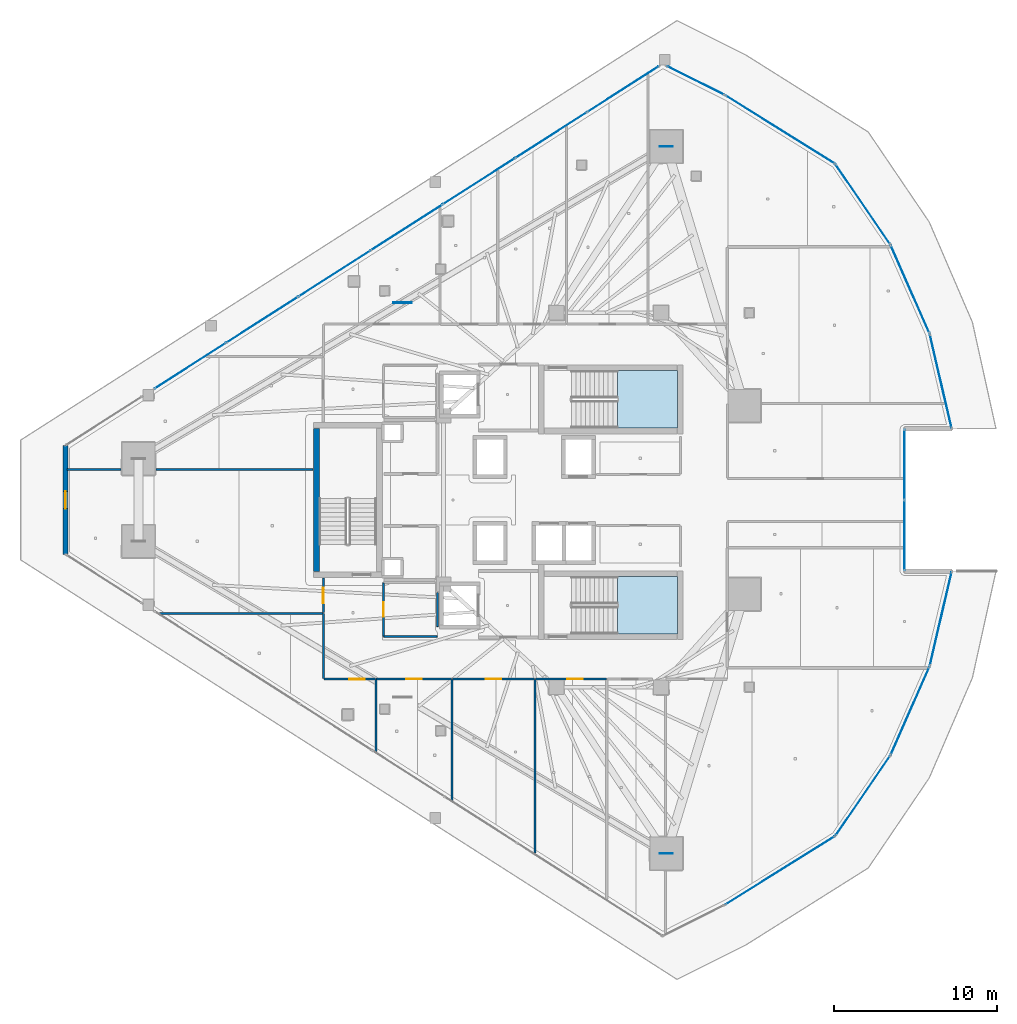
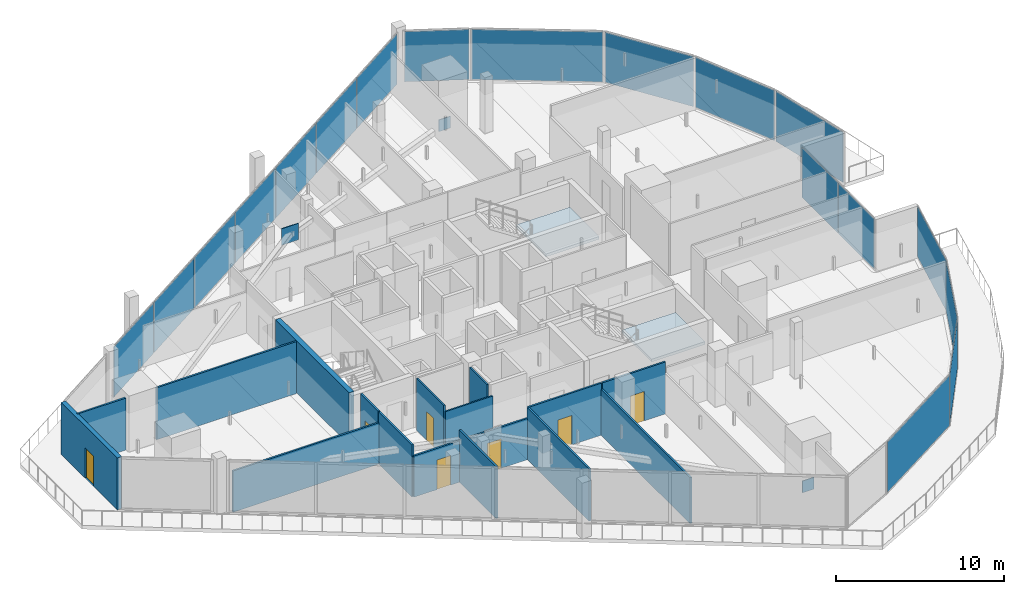
# One storey, part 30 of 43: 21 plates, 17 walls, 7 doors, 2 slabs, 7 openings, 13 elements without a shape of their own.
"""IFC4 building model written with IfcOpenShell, lengths in metres."""

from ifc_helpers import new_model, si_unit, direction, frame, frame_2d, origin, origin_2d, place, context, subcontext, project, spatial, polyline, rectangle, outline, extrude, material, layer, layer_set, type_object, element, fill, aggregate, save


model = new_model("IFC4")

# Units and contexts
model_context = context("Model", 3, precision=1e-05, world=origin(), true_north=direction((0.0, 1.0)))
body_context = subcontext(model_context, "Body", "Model", "MODEL_VIEW")
ifc_project = project(units=[si_unit("LENGTHUNIT", "METRE"), si_unit("AREAUNIT", "SQUARE_METRE"), si_unit("VOLUMEUNIT", "CUBIC_METRE"), si_unit("PLANEANGLEUNIT", "RADIAN"), si_unit("MASSUNIT", "GRAM", prefix="KILO")], contexts=[model_context])

# Site, building, storey
site_placement = place(None, origin())
site = spatial("IfcSite", under=ifc_project, at=site_placement, CompositionType="ELEMENT")
building_placement = place(site_placement, origin())
building = spatial("IfcBuilding", under=site, at=building_placement, Name="Qorvath Tower", CompositionType="ELEMENT")
storey_placement = place(building_placement, frame((0.0, 0.0, 213.14990234375)))
storey = spatial("IfcBuildingStorey", under=building, at=storey_placement, Name="L49", CompositionType="ELEMENT", Elevation=213.14990234375)

# Curtain wall, plate
ifc_material_1 = material(Name="Anodised aluminium and triple low-E glass", Category="aluminium")
ifc_layer_1 = layer(ifc_material_1, 0.179931640625)
ifc_layer_set_1 = layer_set([ifc_layer_1], Name="CW-SYS-3")
curtain_wall_type = type_object("IfcCurtainWallType", Name="CW-SYS-3", PredefinedType="NOTDEFINED", material=ifc_layer_set_1)
curtain_wall_1_placement = place(storey_placement, origin())
curtain_wall_1 = element("IfcCurtainWall", 1, at=curtain_wall_1_placement, inside=storey, type_object=curtain_wall_type, Name="Curtain Wall CW-3 CW-T-L49-4.1", PredefinedType="NOTDEFINED")
ifc_material_2 = material(Name="Low-E triple insulated glass", Category="glass")
ifc_layer_2 = layer(ifc_material_2, 0.031982421875)
ifc_layer_set_2 = layer_set([ifc_layer_2], Name="CWP-GLZ-32")
plate_type_1 = type_object("IfcPlateType", Name="CWP-GLZ-32", PredefinedType="CURTAIN_PANEL", material=ifc_layer_set_2)
plate_1_placement = place(storey_placement, frame((-9.91259765625, -22.665283203125, 0.06494140625), z_axis=(0.0, 0.0, 1.0), x_axis=(0.848575634912, 0.529074089173, 0.0)))
plate_1 = element("IfcPlate", 2, at=plate_1_placement, type_object=plate_type_1, Name="CW-3 panel 1.1", PredefinedType="CURTAIN_PANEL", context=body_context, shape_type="SweptSolid", body=[
    extrude(rectangle(XDim=7.842529296875, YDim=0.031982421875, at=origin_2d()), origin(), (0.0, 0.0, 1.0), 3.64990234375),
])
aggregate(curtain_wall_1, [plate_1])

curtain_wall_2_placement = place(storey_placement, origin())
curtain_wall_2 = element("IfcCurtainWall", 3, at=curtain_wall_2_placement, inside=storey, type_object=curtain_wall_type, Name="Curtain Wall CW-3 CW-T-L49-5.1", PredefinedType="NOTDEFINED")
plate_2_placement = place(storey_placement, frame((-4.84521484375, -18.093994140625, 0.06494140625), z_axis=(0.0, 0.0, 1.0), x_axis=(0.564661085871, 0.825322881122, 0.0)))
plate_2 = element("IfcPlate", 4, at=plate_2_placement, type_object=plate_type_1, Name="CW-3 panel 1.1", PredefinedType="CURTAIN_PANEL", context=body_context, shape_type="SweptSolid", body=[
    extrude(rectangle(XDim=5.837158203125, YDim=0.031982421875, at=origin_2d()), origin(), (0.0, 0.0, 1.0), 3.64990234375),
])
aggregate(curtain_wall_2, [plate_2])

curtain_wall_3_placement = place(storey_placement, origin())
curtain_wall_3 = element("IfcCurtainWall", 5, at=curtain_wall_3_placement, inside=storey, type_object=curtain_wall_type, Name="Curtain Wall CW-3 CW-T-L49-6.1", PredefinedType="NOTDEFINED")
plate_3_placement = place(storey_placement, frame((-1.95947265625, -12.900390625, 0.06494140625), z_axis=(0.0, 0.0, 1.0), x_axis=(0.40258865877, 0.91538099818, 0.0)))
plate_3 = element("IfcPlate", 6, at=plate_3_placement, type_object=plate_type_1, Name="CW-3 panel 1.1", PredefinedType="CURTAIN_PANEL", context=body_context, shape_type="SweptSolid", body=[
    extrude(rectangle(XDim=5.837158203125, YDim=0.031982421875, at=origin_2d()), origin(), (0.0, 0.0, 1.0), 3.64990234375),
])
aggregate(curtain_wall_3, [plate_3])

curtain_wall_4_placement = place(storey_placement, origin())
curtain_wall_4 = element("IfcCurtainWall", 7, at=curtain_wall_4_placement, inside=storey, type_object=curtain_wall_type, Name="Curtain Wall CW-3 CW-T-L49-7.1", PredefinedType="NOTDEFINED")
plate_4_placement = place(storey_placement, frame((-0.08203125, -7.263671875, 0.06494140625), z_axis=(0.0, 0.0, 1.0), x_axis=(0.226670637786, 0.973971468764, 0.0)))
plate_4 = element("IfcPlate", 8, at=plate_4_placement, type_object=plate_type_1, Name="CW-3 panel 1.1", PredefinedType="CURTAIN_PANEL", context=body_context, shape_type="SweptSolid", body=[
    extrude(rectangle(XDim=5.8369140625, YDim=0.031982421875, at=origin_2d()), origin(), (0.0, 0.0, 1.0), 3.64990234375),
])
aggregate(curtain_wall_4, [plate_4])

# Curtain wall, plates
curtain_wall_5_placement = place(storey_placement, origin())
curtain_wall_5 = element("IfcCurtainWall", 9, at=curtain_wall_5_placement, inside=storey, type_object=curtain_wall_type, Name="Curtain Wall CW-3 CW-T-L49-9.1", PredefinedType="NOTDEFINED")
plate_5_placement = place(storey_placement, frame((-2.310791015625, -2.16259765625, 0.06494140625), z_axis=(0.0, 0.0, 1.0), x_axis=(0.0, 1.0, 0.0)))
plate_5 = element("IfcPlate", 10, at=plate_5_placement, type_object=plate_type_1, Name="CW-3 panel 1.1", PredefinedType="CURTAIN_PANEL", context=body_context, shape_type="SweptSolid", body=[
    extrude(rectangle(XDim=4.260498046875, YDim=0.031982421875, at=origin_2d()), origin(), (0.0, 0.0, 1.0), 3.64990234375),
])
plate_6_placement = place(storey_placement, frame((-2.310791015625, 2.16259765625, 0.06494140625), z_axis=(0.0, 0.0, 1.0), x_axis=(0.0, 1.0, 0.0)))
plate_6 = element("IfcPlate", 11, at=plate_6_placement, type_object=plate_type_1, Name="CW-3 panel 2.1", PredefinedType="CURTAIN_PANEL", context=body_context, shape_type="SweptSolid", body=[
    extrude(rectangle(XDim=4.260498046875, YDim=0.031982421875, at=origin_2d()), origin(), (0.0, 0.0, 1.0), 3.64990234375),
])
aggregate(curtain_wall_5, [plate_5, plate_6])

# Curtain wall, plate
curtain_wall_6_placement = place(storey_placement, origin())
curtain_wall_6 = element("IfcCurtainWall", 12, at=curtain_wall_6_placement, inside=storey, type_object=curtain_wall_type, Name="Curtain Wall CW-3 CW-T-L49-11.1", PredefinedType="NOTDEFINED")
plate_7_placement = place(storey_placement, frame((-0.08203125, 7.263671875, 0.06494140625), z_axis=(0.0, 0.0, 1.0), x_axis=(-0.226670637786, 0.973971468764, 0.0)))
plate_7 = element("IfcPlate", 13, at=plate_7_placement, type_object=plate_type_1, Name="CW-3 panel 1.1", PredefinedType="CURTAIN_PANEL", context=body_context, shape_type="SweptSolid", body=[
    extrude(rectangle(XDim=5.8369140625, YDim=0.031982421875, at=origin_2d()), origin(), (0.0, 0.0, 1.0), 3.64990234375),
])
aggregate(curtain_wall_6, [plate_7])

curtain_wall_7_placement = place(storey_placement, origin())
curtain_wall_7 = element("IfcCurtainWall", 14, at=curtain_wall_7_placement, inside=storey, type_object=curtain_wall_type, Name="Curtain Wall CW-3 CW-T-L49-12.1", PredefinedType="NOTDEFINED")
plate_8_placement = place(storey_placement, frame((-1.95947265625, 12.900390625, 0.06494140625), z_axis=(0.0, 0.0, 1.0), x_axis=(-0.40258865877, 0.91538099818, 0.0)))
plate_8 = element("IfcPlate", 15, at=plate_8_placement, type_object=plate_type_1, Name="CW-3 panel 1.1", PredefinedType="CURTAIN_PANEL", context=body_context, shape_type="SweptSolid", body=[
    extrude(rectangle(XDim=5.837158203125, YDim=0.031982421875, at=origin_2d()), origin(), (0.0, 0.0, 1.0), 3.64990234375),
])
aggregate(curtain_wall_7, [plate_8])

curtain_wall_8_placement = place(storey_placement, origin())
curtain_wall_8 = element("IfcCurtainWall", 16, at=curtain_wall_8_placement, inside=storey, type_object=curtain_wall_type, Name="Curtain Wall CW-3 CW-T-L49-13.1", PredefinedType="NOTDEFINED")
plate_9_placement = place(storey_placement, frame((-4.84521484375, 18.093994140625, 0.06494140625), z_axis=(0.0, 0.0, 1.0), x_axis=(-0.564661085871, 0.825322881122, 0.0)))
plate_9 = element("IfcPlate", 17, at=plate_9_placement, type_object=plate_type_1, Name="CW-3 panel 1.1", PredefinedType="CURTAIN_PANEL", context=body_context, shape_type="SweptSolid", body=[
    extrude(rectangle(XDim=5.837158203125, YDim=0.031982421875, at=origin_2d()), origin(), (0.0, 0.0, 1.0), 3.64990234375),
])
aggregate(curtain_wall_8, [plate_9])

curtain_wall_9_placement = place(storey_placement, origin())
curtain_wall_9 = element("IfcCurtainWall", 18, at=curtain_wall_9_placement, inside=storey, type_object=curtain_wall_type, Name="Curtain Wall CW-3 CW-T-L49-14.1", PredefinedType="NOTDEFINED")
plate_10_placement = place(storey_placement, frame((-9.91259765625, 22.665283203125, 0.06494140625), z_axis=(0.0, 0.0, 1.0), x_axis=(-0.848575634912, 0.529074089173, 0.0)))
plate_10 = element("IfcPlate", 19, at=plate_10_placement, type_object=plate_type_1, Name="CW-3 panel 1.1", PredefinedType="CURTAIN_PANEL", context=body_context, shape_type="SweptSolid", body=[
    extrude(rectangle(XDim=7.842529296875, YDim=0.031982421875, at=origin_2d()), origin(), (0.0, 0.0, 1.0), 3.64990234375),
])
aggregate(curtain_wall_9, [plate_10])

curtain_wall_10_placement = place(storey_placement, origin())
curtain_wall_10 = element("IfcCurtainWall", 20, at=curtain_wall_10_placement, inside=storey, type_object=curtain_wall_type, Name="Curtain Wall CW-3 CW-T-L49-15.1", PredefinedType="NOTDEFINED")
plate_11_placement = place(storey_placement, frame((-15.080078125, 25.666748046875, 0.06494140625), z_axis=(0.0, 0.0, 1.0), x_axis=(-0.894457254773, 0.447153462901, 0.0)))
plate_11 = element("IfcPlate", 21, at=plate_11_placement, type_object=plate_type_1, Name="CW-3 panel 1.1", PredefinedType="CURTAIN_PANEL", context=body_context, shape_type="SweptSolid", body=[
    extrude(rectangle(XDim=3.861328125, YDim=0.031982421875, at=origin_2d()), origin(), (0.0, 0.0, 1.0), 3.64990234375),
])
aggregate(curtain_wall_10, [plate_11])

# Curtain wall, plates
curtain_wall_11_placement = place(storey_placement, origin())
curtain_wall_11 = element("IfcCurtainWall", 22, at=curtain_wall_11_placement, inside=storey, type_object=curtain_wall_type, Name="Curtain Wall CW-3 CW-T-L49-16.1", PredefinedType="NOTDEFINED")
plate_12_placement = place(storey_placement, frame((-19.518310546875, 25.138671875, 0.06494140625), z_axis=(0.0, 0.0, 1.0), x_axis=(-0.842604767374, -0.538532455845, 0.0)))
plate_12 = element("IfcPlate", 23, at=plate_12_placement, type_object=plate_type_1, Name="CW-3 panel 1.1", PredefinedType="CURTAIN_PANEL", context=body_context, shape_type="SweptSolid", body=[
    extrude(rectangle(XDim=5.1455078125, YDim=0.031982421875, at=origin_2d()), origin(), (0.0, 0.0, 1.0), 3.64990234375),
])
plate_13_placement = place(storey_placement, frame((-23.92236328125, 22.323974609375, 0.06494140625), z_axis=(0.0, 0.0, 1.0), x_axis=(-0.842604767374, -0.538532455845, 0.0)))
plate_13 = element("IfcPlate", 24, at=plate_13_placement, type_object=plate_type_1, Name="CW-3 panel 2.1", PredefinedType="CURTAIN_PANEL", context=body_context, shape_type="SweptSolid", body=[
    extrude(rectangle(XDim=5.177978515625, YDim=0.031982421875, at=origin_2d()), origin(), (0.0, 0.0, 1.0), 3.64990234375),
])
plate_14_placement = place(storey_placement, frame((-28.340087890625, 19.50048828125, 0.06494140625), z_axis=(0.0, 0.0, 1.0), x_axis=(-0.842604767374, -0.538532455845, 0.0)))
plate_14 = element("IfcPlate", 25, at=plate_14_placement, type_object=plate_type_1, Name="CW-3 panel 3.1", PredefinedType="CURTAIN_PANEL", context=body_context, shape_type="SweptSolid", body=[
    extrude(rectangle(XDim=5.177978515625, YDim=0.031982421875, at=origin_2d()), origin(), (0.0, 0.0, 1.0), 3.64990234375),
])
plate_15_placement = place(storey_placement, frame((-32.7578125, 16.677001953125, 0.06494140625), z_axis=(0.0, 0.0, 1.0), x_axis=(-0.842604767374, -0.538532455845, 0.0)))
plate_15 = element("IfcPlate", 26, at=plate_15_placement, type_object=plate_type_1, Name="CW-3 panel 4.1", PredefinedType="CURTAIN_PANEL", context=body_context, shape_type="SweptSolid", body=[
    extrude(rectangle(XDim=5.177978515625, YDim=0.031982421875, at=origin_2d()), origin(), (0.0, 0.0, 1.0), 3.64990234375),
])
plate_16_placement = place(storey_placement, frame((-37.17529296875, 13.853515625, 0.06494140625), z_axis=(0.0, 0.0, 1.0), x_axis=(-0.842604767374, -0.538532455845, 0.0)))
plate_16 = element("IfcPlate", 27, at=plate_16_placement, type_object=plate_type_1, Name="CW-3 panel 5.1", PredefinedType="CURTAIN_PANEL", context=body_context, shape_type="SweptSolid", body=[
    extrude(rectangle(XDim=5.177978515625, YDim=0.031982421875, at=origin_2d()), origin(), (0.0, 0.0, 1.0), 3.64990234375),
])
plate_17_placement = place(storey_placement, frame((-41.593017578125, 11.030029296875, 0.06494140625), z_axis=(0.0, 0.0, 1.0), x_axis=(-0.842604767374, -0.538532455845, 0.0)))
plate_17 = element("IfcPlate", 28, at=plate_17_placement, type_object=plate_type_1, Name="CW-3 panel 6.1", PredefinedType="CURTAIN_PANEL", context=body_context, shape_type="SweptSolid", body=[
    extrude(rectangle(XDim=5.177978515625, YDim=0.031982421875, at=origin_2d()), origin(), (0.0, 0.0, 1.0), 3.64990234375),
])
plate_18_placement = place(storey_placement, frame((-45.9970703125, 8.215087890625, 0.06494140625), z_axis=(0.0, 0.0, 1.0), x_axis=(-0.842604767374, -0.538532455845, 0.0)))
plate_18 = element("IfcPlate", 29, at=plate_18_placement, type_object=plate_type_1, Name="CW-3 panel 7.1", PredefinedType="CURTAIN_PANEL", context=body_context, shape_type="SweptSolid", body=[
    extrude(rectangle(XDim=5.1455078125, YDim=0.031982421875, at=origin_2d()), origin(), (0.0, 0.0, 1.0), 3.64990234375),
])
aggregate(curtain_wall_11, [plate_12, plate_13, plate_14, plate_15, plate_16, plate_17, plate_18])

# Plates
ifc_material_3 = material(Name="Steel ASTM A572 Grade 50", Category="steel")
ifc_layer_3 = layer(ifc_material_3, 0.054931640625)
ifc_layer_set_3 = layer_set([ifc_layer_3], Name="PL-MBN1")
plate_type_2 = type_object("IfcPlateType", Name="PL-MBN1", PredefinedType="USERDEFINED", material=ifc_layer_set_3)
plate_19_placement = place(storey_placement, frame((-33.021728515625, 12.077392578125, 2.830078125), z_axis=(0.0, 0.0, 1.0), x_axis=(1.0, 0.0, 0.0)))
element("IfcPlate", 30, at=plate_19_placement, inside=storey, type_object=plate_type_2, Name="Mega-Brace Chevron Apex Gusset L49-1", ObjectType="GUSSET", PredefinedType="USERDEFINED", context=body_context, shape_type="SweptSolid", body=[
    extrude(rectangle(XDim=1.14990234375, YDim=0.054931640625, at=origin_2d()), origin(), (0.0, 0.0, 1.0), 1.199951171875),
])
for number, where, z_axis, x_axis, name in (
    (31, (-16.87158203125, 21.627197265625, -0.425048828125), (0.0, 0.0, 1.0), (1.0, 0.0, 0.0), "Brace Strut End Gusset Plate NDBG-105"),
    (32, (-16.87158203125, -21.627197265625, -0.425048828125), (0.0, 0.0, 1.0), (1.0, 0.0, 0.0), "Brace Strut End Gusset Plate NDBG-108"),
):
    element("IfcPlate", number, at=place(storey_placement, frame(where, z_axis=z_axis, x_axis=x_axis)), inside=storey, type_object=plate_type_2, Name=name, ObjectType="GUSSET", PredefinedType="USERDEFINED", context=body_context, shape_type="SweptSolid", body=[
        extrude(rectangle(XDim=0.800048828125, YDim=0.054931640625, at=origin_2d()), origin(), (0.0, 0.0, 1.0), 0.85009765625),
    ])

# Stair, slab
ifc_material_4 = material(Name="Concrete C50/60", Category="concrete")
stair_type = type_object("IfcStairType", Name="ST-H405", PredefinedType="HALF_TURN_STAIR", material=ifc_material_4)
stair_1_placement = place(storey_placement, origin())
stair_1 = element("IfcStair", 33, at=stair_1_placement, inside=storey, type_object=stair_type, Name="L49 Tower Exit Stair 1", PredefinedType="HALF_TURN_STAIR")
ifc_material_5 = material(Name="Concrete C50/60", Category="concrete")
ifc_layer_4 = layer(ifc_material_5, 0.199951171875)
ifc_layer_set_4 = layer_set([ifc_layer_4], Name="SL-LND-200")
slab_type = type_object("IfcSlabType", Name="SL-LND-200", PredefinedType="LANDING", material=ifc_layer_set_4)
slab_1_placement = place(storey_placement, frame((0.0, 0.0, 1.8251953125)))
slab_1 = element("IfcSlab", 34, at=slab_1_placement, type_object=slab_type, Name="TS1 landing 1", PredefinedType="LANDING", context=body_context, shape_type="SweptSolid", body=[
    extrude(outline(polyline([(-19.8701171875, 4.39990234375), (-16.199951171875, 4.39990234375), (-16.199951171875, 7.909912109375), (-19.8701171875, 7.909912109375), (-19.8701171875, 4.39990234375)])), origin(), (0.0, 0.0, 1.0), 0.199951171875),
])
aggregate(stair_1, [slab_1])

stair_2_placement = place(storey_placement, origin())
stair_2 = element("IfcStair", 35, at=stair_2_placement, inside=storey, type_object=stair_type, Name="L49 Tower Exit Stair 2", PredefinedType="HALF_TURN_STAIR")
slab_2_placement = place(storey_placement, frame((0.0, 0.0, 1.8251953125)))
slab_2 = element("IfcSlab", 36, at=slab_2_placement, type_object=slab_type, Name="TS2 landing 1", PredefinedType="LANDING", context=body_context, shape_type="SweptSolid", body=[
    extrude(outline(polyline([(-19.8701171875, -8.199951171875), (-16.199951171875, -8.199951171875), (-16.199951171875, -4.68994140625), (-19.8701171875, -4.68994140625), (-19.8701171875, -8.199951171875)])), origin(), (0.0, 0.0, 1.0), 0.199951171875),
])
aggregate(stair_2, [slab_2])

# Wall, opening, door
ifc_material_6 = material(Name="Gypsum board on metal studs with mineral wool", Category="gypsum")
ifc_layer_5 = layer(ifc_material_6, 0.125)
ifc_layer_set_5 = layer_set([ifc_layer_5], Name="IW-PART-125")
wall_type_1 = type_object("IfcWallType", Name="IW-PART-125", PredefinedType="PARTITIONING", material=ifc_layer_set_5)
wall_1_placement = place(storey_placement, frame((-30.00390625, -10.9580078125, 0.0), z_axis=(0.0, 0.0, 1.0), x_axis=(-1.0, 0.0, 0.0)))
wall_1 = element("IfcWall", 37, at=wall_1_placement, inside=storey, type_object=wall_type_1, Name="Interior Partition IW-T1-L49-037", PredefinedType="PARTITIONING", context=body_context, shape_type="SweptSolid", body=[
    extrude(rectangle(XDim=4.62109375, YDim=0.125, at=frame_2d((2.310546875, 0.0))), origin(), (0.0, 0.0, 1.0), 3.0),
])
opening_1_placement = place(wall_1_placement, frame((1.83544921875, 0.0, 0.0)))
opening_1 = element("IfcOpeningElement", 38, at=opening_1_placement, cuts=wall_1, Name="Opening D-T1-L49-12", PredefinedType="OPENING", context=body_context, shape_type="SweptSolid", body=[
    extrude(rectangle(XDim=0.949951171875, YDim=2.14990234375, at=frame_2d((0.47509765625, 1.074951171875))), frame((0.0, 0.072509765625, 0.0), z_axis=(0.0, -1.0, 0.0), x_axis=(1.0, 0.0, 0.0)), (0.0, 0.0, 1.0), 0.14501953125),
])
ifc_material_7 = material(Name="Solid-core American white oak veneer", Category="wood")
door_type_1 = type_object("IfcDoorType", Name="D-01", OperationType="NOTDEFINED", PredefinedType="DOOR", material=ifc_material_7)
door_1_placement = place(opening_1_placement, origin())
door_1 = element("IfcDoor", 39, at=door_1_placement, inside=storey, type_object=door_type_1, Name="L49-06 Project Collaboration Workspace Door D-T1-L49-12", OperationType="SINGLE_SWING_LEFT", OverallHeight=2.14990234375, OverallWidth=0.949951171875, PredefinedType="DOOR", context=body_context, shape_type="SweptSolid", body=[
    extrude(rectangle(XDim=0.949951171875, YDim=2.14990234375, at=frame_2d((0.47509765625, 1.074951171875))), frame((0.0, 0.02490234375, 0.0), z_axis=(0.0, -1.0, 0.0), x_axis=(1.0, 0.0, 0.0)), (0.0, 0.0, 1.0), 0.050048828125),
])
fill(opening_1, door_1)

# Walls
wall_2_placement = place(storey_placement, frame((-34.64990234375, -10.98291015625, 0.0), z_axis=(0.0, 0.0, 1.0), x_axis=(0.0, -1.0, 0.0)))
element("IfcWall", 40, at=wall_2_placement, inside=storey, type_object=wall_type_1, Name="Interior Partition IW-T1-L49-038", PredefinedType="PARTITIONING", context=body_context, shape_type="SweptSolid", body=[
    extrude(rectangle(XDim=4.40478515625, YDim=0.125, at=frame_2d((2.202392578125, 0.0))), origin(), (0.0, 0.0, 1.0), 3.780029296875),
])
wall_3_placement = place(storey_placement, frame((-29.97900390625, -18.372802734375, 0.0), z_axis=(0.0, 0.0, 1.0), x_axis=(0.0, 1.0, 0.0)))
element("IfcWall", 41, at=wall_3_placement, inside=storey, type_object=wall_type_1, Name="Interior Partition IW-T1-L49-039", PredefinedType="PARTITIONING", context=body_context, shape_type="SweptSolid", body=[
    extrude(rectangle(XDim=7.389892578125, YDim=0.125, at=frame_2d((3.69482421875, 0.0))), origin(), (0.0, 0.0, 1.0), 3.780029296875),
])

# Wall, opening, door
wall_4_placement = place(storey_placement, frame((-24.943115234375, -10.9580078125, 0.0), z_axis=(0.0, 0.0, 1.0), x_axis=(-1.0, 0.0, 0.0)))
wall_4 = element("IfcWall", 42, at=wall_4_placement, inside=storey, type_object=wall_type_1, Name="Interior Partition IW-T1-L49-040", PredefinedType="PARTITIONING", context=body_context, shape_type="SweptSolid", body=[
    extrude(rectangle(XDim=5.002685546875, YDim=0.125, at=frame_2d((2.50146484375, 0.0))), origin(), (0.0, 0.0, 1.0), 3.780029296875),
])
opening_2_placement = place(wall_4_placement, frame((2.0263671875, 0.0, 0.0)))
opening_2 = element("IfcOpeningElement", 43, at=opening_2_placement, cuts=wall_4, Name="Opening D-T1-L49-13", PredefinedType="OPENING", context=body_context, shape_type="SweptSolid", body=[
    extrude(rectangle(XDim=0.949951171875, YDim=2.14990234375, at=frame_2d((0.47509765625, 1.074951171875))), frame((0.0, 0.072509765625, 0.0), z_axis=(0.0, -1.0, 0.0), x_axis=(1.0, 0.0, 0.0)), (0.0, 0.0, 1.0), 0.14501953125),
])
door_2_placement = place(opening_2_placement, origin())
door_2 = element("IfcDoor", 44, at=door_2_placement, inside=storey, type_object=door_type_1, Name="L49-07 Staff Wellness Studio Door D-T1-L49-13", OperationType="SINGLE_SWING_RIGHT", OverallHeight=2.14990234375, OverallWidth=0.949951171875, PredefinedType="DOOR", context=body_context, shape_type="SweptSolid", body=[
    extrude(rectangle(XDim=0.949951171875, YDim=2.14990234375, at=frame_2d((0.47509765625, 1.074951171875))), frame((0.0, 0.02490234375, 0.0), z_axis=(0.0, -1.0, 0.0), x_axis=(1.0, 0.0, 0.0)), (0.0, 0.0, 1.0), 0.050048828125),
])
fill(opening_2, door_2)

# Wall
wall_5_placement = place(storey_placement, frame((-24.918212890625, -21.607421875, 0.0), z_axis=(0.0, 0.0, 1.0), x_axis=(0.0, 1.0, 0.0)))
element("IfcWall", 45, at=wall_5_placement, inside=storey, type_object=wall_type_1, Name="Interior Partition IW-T1-L49-041", PredefinedType="PARTITIONING", context=body_context, shape_type="SweptSolid", body=[
    extrude(rectangle(XDim=10.62451171875, YDim=0.125, at=frame_2d((5.312255859375, 0.0))), origin(), (0.0, 0.0, 1.0), 3.34375),
])

# Wall, opening, door
wall_6_placement = place(storey_placement, frame((-20.544189453125, -10.9580078125, 0.0), z_axis=(0.0, 0.0, 1.0), x_axis=(-1.0, 0.0, 0.0)))
wall_6 = element("IfcWall", 46, at=wall_6_placement, inside=storey, type_object=wall_type_1, Name="Interior Partition IW-T1-L49-042", PredefinedType="PARTITIONING", context=body_context, shape_type="SweptSolid", body=[
    extrude(rectangle(XDim=4.341064453125, YDim=0.125, at=frame_2d((2.17041015625, 0.0))), origin(), (0.0, 0.0, 1.0), 3.780029296875),
])
opening_3_placement = place(wall_6_placement, frame((1.453369140625, 0.0, 0.0)))
opening_3 = element("IfcOpeningElement", 47, at=opening_3_placement, cuts=wall_6, Name="Opening D-T1-L49-14", PredefinedType="OPENING", context=body_context, shape_type="SweptSolid", body=[
    extrude(rectangle(XDim=0.949951171875, YDim=2.14990234375, at=frame_2d((0.47509765625, 1.074951171875))), frame((0.0, 0.072509765625, 0.0), z_axis=(0.0, -1.0, 0.0), x_axis=(1.0, 0.0, 0.0)), (0.0, 0.0, 1.0), 0.14501953125),
])
door_3_placement = place(opening_3_placement, origin())
door_3 = element("IfcDoor", 48, at=door_3_placement, inside=storey, type_object=door_type_1, Name="L49-08 Design Pin-Up Atelier Door D-T1-L49-14", OperationType="SINGLE_SWING_LEFT", OverallHeight=2.14990234375, OverallWidth=0.949951171875, PredefinedType="DOOR", context=body_context, shape_type="SweptSolid", body=[
    extrude(rectangle(XDim=0.949951171875, YDim=2.14990234375, at=frame_2d((0.47509765625, 1.074951171875))), frame((0.0, 0.02490234375, 0.0), z_axis=(0.0, -1.0, 0.0), x_axis=(1.0, 0.0, 0.0)), (0.0, 0.0, 1.0), 0.050048828125),
])
fill(opening_3, door_3)

wall_7_placement = place(storey_placement, frame((-37.8330078125, -10.9580078125, 0.0), z_axis=(0.0, 0.0, 1.0), x_axis=(1.0, 0.0, 0.0)))
wall_7 = element("IfcWall", 49, at=wall_7_placement, inside=storey, type_object=wall_type_1, Name="Interior Partition IW-T1-L49-057", PredefinedType="PARTITIONING", context=body_context, shape_type="SweptSolid", body=[
    extrude(rectangle(XDim=3.14990234375, YDim=0.125, at=frame_2d((1.574951171875, 0.0))), origin(), (0.0, 0.0, 1.0), 3.0),
])
opening_4_placement = place(wall_7_placement, frame((1.5712890625, 0.0, 0.0)))
opening_4 = element("IfcOpeningElement", 50, at=opening_4_placement, cuts=wall_7, Name="Opening D-T1-L49-19", PredefinedType="OPENING", context=body_context, shape_type="SweptSolid", body=[
    extrude(rectangle(XDim=0.949951171875, YDim=2.14990234375, at=frame_2d((0.47509765625, 1.074951171875))), frame((0.0, 0.072509765625, 0.0), z_axis=(0.0, -1.0, 0.0), x_axis=(1.0, 0.0, 0.0)), (0.0, 0.0, 1.0), 0.14501953125),
])
door_4_placement = place(opening_4_placement, origin())
door_4 = element("IfcDoor", 51, at=door_4_placement, inside=storey, type_object=door_type_1, Name="L49-14 Focus Collaboration Pod Door D-T1-L49-19", OperationType="SINGLE_SWING_RIGHT", OverallHeight=2.14990234375, OverallWidth=0.949951171875, PredefinedType="DOOR", context=body_context, shape_type="SweptSolid", body=[
    extrude(rectangle(XDim=0.949951171875, YDim=2.14990234375, at=frame_2d((0.47509765625, 1.074951171875))), frame((0.0, 0.02490234375, 0.0), z_axis=(0.0, -1.0, 0.0), x_axis=(1.0, 0.0, 0.0)), (0.0, 0.0, 1.0), 0.050048828125),
])
fill(opening_4, door_4)

# Walls
wall_8_placement = place(storey_placement, frame((-37.85791015625, -10.93310546875, 0.0), z_axis=(0.0, 0.0, 1.0), x_axis=(0.0, 1.0, 0.0)))
element("IfcWall", 52, at=wall_8_placement, inside=storey, type_object=wall_type_1, Name="Interior Partition IW-T1-L49-058", PredefinedType="PARTITIONING", context=body_context, shape_type="SweptSolid", body=[
    extrude(rectangle(XDim=3.977294921875, YDim=0.125, at=frame_2d((1.98876953125, 0.0))), origin(), (0.0, 0.0, 1.0), 3.780029296875),
])
wall_9_placement = place(storey_placement, frame((-37.8828125, -6.930908203125, 0.0), z_axis=(0.0, 0.0, 1.0), x_axis=(-1.0, 0.0, 0.0)))
element("IfcWall", 53, at=wall_9_placement, inside=storey, type_object=wall_type_1, Name="Interior Partition IW-T1-L49-059", PredefinedType="PARTITIONING", context=body_context, shape_type="SweptSolid", body=[
    extrude(rectangle(XDim=10.043701171875, YDim=0.125, at=frame_2d((5.02197265625, 0.0))), origin(), (0.0, 0.0, 1.0), 3.0),
])

# Wall, opening, door
wall_10_placement = place(storey_placement, frame((-37.85791015625, -6.89794921875, 0.0), z_axis=(0.0, 0.0, 1.0), x_axis=(0.0, 1.0, 0.0)))
wall_10 = element("IfcWall", 54, at=wall_10_placement, inside=storey, type_object=wall_type_1, Name="Interior Partition IW-T1-L49-060", PredefinedType="PARTITIONING", context=body_context, shape_type="SweptSolid", body=[
    extrude(rectangle(XDim=2.11474609375, YDim=0.125, at=frame_2d((1.057373046875, 0.0))), origin(), (0.0, 0.0, 1.0), 3.780029296875),
])
opening_5_placement = place(wall_10_placement, frame((0.582275390625, 0.0, 0.0)))
opening_5 = element("IfcOpeningElement", 55, at=opening_5_placement, cuts=wall_10, Name="Opening D-T1-L49-20", PredefinedType="OPENING", context=body_context, shape_type="SweptSolid", body=[
    extrude(rectangle(XDim=0.949951171875, YDim=2.14990234375, at=frame_2d((0.47509765625, 1.074951171875))), frame((0.0, 0.072509765625, 0.0), z_axis=(0.0, -1.0, 0.0), x_axis=(1.0, 0.0, 0.0)), (0.0, 0.0, 1.0), 0.14501953125),
])
door_5_placement = place(opening_5_placement, origin())
door_5 = element("IfcDoor", 56, at=door_5_placement, inside=storey, type_object=door_type_1, Name="L49-15 Staff Refreshment Pantry and Coffee Bar Door D-T1-L49-20", OperationType="SINGLE_SWING_LEFT", OverallHeight=2.14990234375, OverallWidth=0.949951171875, PredefinedType="DOOR", context=body_context, shape_type="SweptSolid", body=[
    extrude(rectangle(XDim=0.949951171875, YDim=2.14990234375, at=frame_2d((0.47509765625, 1.074951171875))), frame((0.0, 0.02490234375, 0.0), z_axis=(0.0, -1.0, 0.0), x_axis=(1.0, 0.0, 0.0)), (0.0, 0.0, 1.0), 0.050048828125),
])
fill(opening_5, door_5)

# Walls
wall_11_placement = place(storey_placement, frame((-38.492919921875, 1.852783203125, 0.0), z_axis=(0.0, 0.0, 1.0), x_axis=(-1.0, 0.0, 0.0)))
element("IfcWall", 57, at=wall_11_placement, inside=storey, type_object=wall_type_1, Name="Interior Partition IW-T1-L49-061", PredefinedType="PARTITIONING", context=body_context, shape_type="SweptSolid", body=[
    extrude(rectangle(XDim=9.614013671875, YDim=0.125, at=frame_2d((4.80712890625, 0.0))), origin(), (0.0, 0.0, 1.0), 3.780029296875),
])
wall_12_placement = place(storey_placement, frame((-50.23681640625, 1.852783203125, 0.0), z_axis=(0.0, 0.0, 1.0), x_axis=(-1.0, 0.0, 0.0)))
element("IfcWall", 58, at=wall_12_placement, inside=storey, type_object=wall_type_1, Name="Interior Partition IW-T1-L49-062", PredefinedType="PARTITIONING", context=body_context, shape_type="SweptSolid", body=[
    extrude(rectangle(XDim=3.31591796875, YDim=0.125, at=frame_2d((1.657958984375, 0.0))), origin(), (0.0, 0.0, 1.0), 3.780029296875),
])
ifc_material_8 = material(Name="Moisture-resistant cement board on metal studs", Category="gypsum")
ifc_layer_6 = layer(ifc_material_8, 0.110107421875)
ifc_layer_set_6 = layer_set([ifc_layer_6], Name="IW-WC-110")
wall_type_2 = type_object("IfcWallType", Name="IW-WC-110", PredefinedType="PARTITIONING", material=ifc_layer_set_6)
wall_13_placement = place(storey_placement, frame((-34.15478515625, -8.35009765625, 0.0), z_axis=(0.0, 0.0, 1.0), x_axis=(1.0, 0.0, 0.0)))
element("IfcWall", 59, at=wall_13_placement, inside=storey, type_object=wall_type_2, Name="Interior Partition IW-T1-L49-009", PredefinedType="PARTITIONING", context=body_context, shape_type="SweptSolid", body=[
    extrude(rectangle(XDim=3.25, YDim=0.110107421875, at=frame_2d((1.625, 0.0))), origin(), (0.0, 0.0, 1.0), 3.34375),
])
wall_14_placement = place(storey_placement, frame((-30.8798828125, -7.742919921875, 0.0), z_axis=(0.0, 0.0, 1.0), x_axis=(0.0, 1.0, 0.0)))
element("IfcWall", 60, at=wall_14_placement, inside=storey, type_object=wall_type_2, Name="Interior Partition IW-T1-L49-010", PredefinedType="PARTITIONING", context=body_context, shape_type="SweptSolid", body=[
    extrude(rectangle(XDim=2.077880859375, YDim=0.110107421875, at=frame_2d((1.0390625, 0.0))), origin(), (0.0, 0.0, 1.0), 3.780029296875),
])

# Wall, opening, door
wall_15_placement = place(storey_placement, frame((-34.179931640625, -5.074951171875, 0.0), z_axis=(0.0, 0.0, 1.0), x_axis=(0.0, -1.0, 0.0)))
wall_15 = element("IfcWall", 61, at=wall_15_placement, inside=storey, type_object=wall_type_2, Name="Interior Partition IW-T1-L49-012", PredefinedType="PARTITIONING", context=body_context, shape_type="SweptSolid", body=[
    extrude(rectangle(XDim=3.250244140625, YDim=0.110107421875, at=frame_2d((1.625, 0.0))), origin(), (0.0, 0.0, 1.0), 3.780029296875),
])
opening_6_placement = place(wall_15_placement, frame((1.18505859375, 0.0, 0.0)))
opening_6 = element("IfcOpeningElement", 62, at=opening_6_placement, cuts=wall_15, Name="Opening D-T1-L49-02", PredefinedType="OPENING", context=body_context, shape_type="SweptSolid", body=[
    extrude(rectangle(XDim=0.8798828125, YDim=2.10009765625, at=frame_2d((0.43994140625, 1.050048828125))), frame((0.0, 0.06494140625, 0.0), z_axis=(0.0, -1.0, 0.0), x_axis=(1.0, 0.0, 0.0)), (0.0, 0.0, 1.0), 0.130126953125),
])
ifc_material_9 = material(Name="Solid-core oak with acoustic drop seal", Category="wood")
door_type_2 = type_object("IfcDoorType", Name="D-02", OperationType="NOTDEFINED", PredefinedType="DOOR", material=ifc_material_9)
door_6_placement = place(opening_6_placement, origin())
door_6 = element("IfcDoor", 63, at=door_6_placement, inside=storey, type_object=door_type_2, Name="Accessible WC South L49 Door D-T1-L49-02", OperationType="SINGLE_SWING_LEFT", OverallHeight=2.10009765625, OverallWidth=0.8798828125, PredefinedType="DOOR", context=body_context, shape_type="SweptSolid", body=[
    extrude(rectangle(XDim=0.8798828125, YDim=2.10009765625, at=frame_2d((0.43994140625, 1.050048828125))), frame((0.0, 0.02490234375, 0.0), z_axis=(0.0, -1.0, 0.0), x_axis=(1.0, 0.0, 0.0)), (0.0, 0.0, 1.0), 0.050048828125),
])
fill(opening_6, door_6)

# Wall
ifc_material_10 = material(Name="Concrete C60/75", Category="concrete")
ifc_layer_7 = layer(ifc_material_10, 0.35009765625)
ifc_layer_set_7 = layer_set([ifc_layer_7], Name="SW-STAIR")
wall_type_3 = type_object("IfcWallType", Name="SW-STAIR", PredefinedType="SHEAR", material=ifc_layer_set_7)
wall_16_placement = place(storey_placement, frame((-38.284912109375, 4.385009765625, 0.0), z_axis=(0.0, 0.0, 1.0), x_axis=(0.0, -1.0, 0.0)))
element("IfcWall", 64, at=wall_16_placement, inside=storey, type_object=wall_type_3, Name="Stair TS3 Shear Wall L49 RIGHT", PredefinedType="SHEAR", context=body_context, shape_type="SweptSolid", body=[
    extrude(rectangle(XDim=8.77001953125, YDim=0.35009765625, at=frame_2d((4.385009765625, 0.0))), origin(), (0.0, 0.0, 1.0), 3.780029296875),
])

# Wall, opening, door
ifc_material_11 = material(Name="Precast concrete C45/55", Category="concrete")
ifc_layer_8 = layer(ifc_material_11, 0.300048828125)
ifc_layer_set_8 = layer_set([ifc_layer_8], Name="WL-EW-LOG-300")
wall_type_4 = type_object("IfcWallType", Name="WL-EW-LOG-300", PredefinedType="SOLIDWALL", material=ifc_layer_set_8)
wall_17_placement = place(storey_placement, frame((-53.6328125, -3.3349609375, 0.0), z_axis=(0.0, 0.0, 1.0), x_axis=(0.0, 1.0, 0.0)))
wall_17 = element("IfcWall", 65, at=wall_17_placement, inside=storey, type_object=wall_type_4, Name="Tower Precast Loggia Wall L49-1.1", PredefinedType="SOLIDWALL", context=body_context, shape_type="SweptSolid", body=[
    extrude(rectangle(XDim=6.669921875, YDim=0.300048828125, at=frame_2d((3.3349609375, 0.0))), origin(), (0.0, 0.0, 1.0), 3.780029296875),
])
opening_7_placement = place(wall_17_placement, frame((2.81005859375, 0.0, 0.0)))
opening_7 = element("IfcOpeningElement", 66, at=opening_7_placement, cuts=wall_17, Name="Opening ED-L49-01", PredefinedType="OPENING", context=body_context, shape_type="SweptSolid", body=[
    extrude(rectangle(XDim=1.050048828125, YDim=2.199951171875, at=frame_2d((0.52490234375, 1.10009765625))), frame((0.0, 0.16015625, 0.0), z_axis=(0.0, -1.0, 0.0), x_axis=(1.0, 0.0, 0.0)), (0.0, 0.0, 1.0), 0.320068359375),
])
ifc_material_12 = material(Name="Thermally broken aluminium glazed door", Category="aluminium")
door_type_3 = type_object("IfcDoorType", Name="ED-LOG", OperationType="NOTDEFINED", PredefinedType="DOOR", material=ifc_material_12)
door_7_placement = place(opening_7_placement, origin())
door_7 = element("IfcDoor", 67, at=door_7_placement, inside=storey, type_object=door_type_3, Name="L49 Recessed Loggia Access Door 1", OperationType="SINGLE_SWING_RIGHT", OverallHeight=2.199951171875, OverallWidth=1.050048828125, PredefinedType="DOOR", context=body_context, shape_type="SweptSolid", body=[
    extrude(rectangle(XDim=1.050048828125, YDim=2.199951171875, at=frame_2d((0.52490234375, 1.10009765625))), frame((0.0, 0.02490234375, 0.0), z_axis=(0.0, -1.0, 0.0), x_axis=(1.0, 0.0, 0.0)), (0.0, 0.0, 1.0), 0.050048828125),
])
fill(opening_7, door_7)

save(model, "model.ifc")
